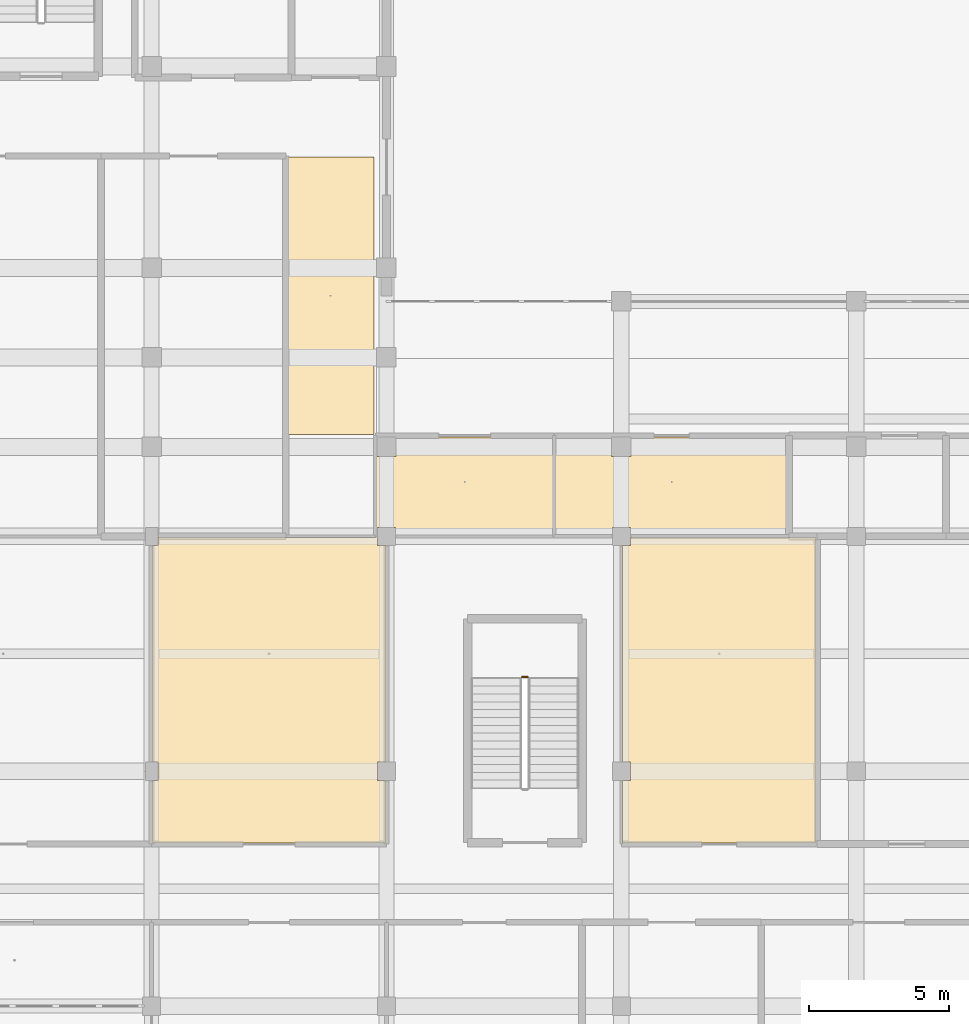
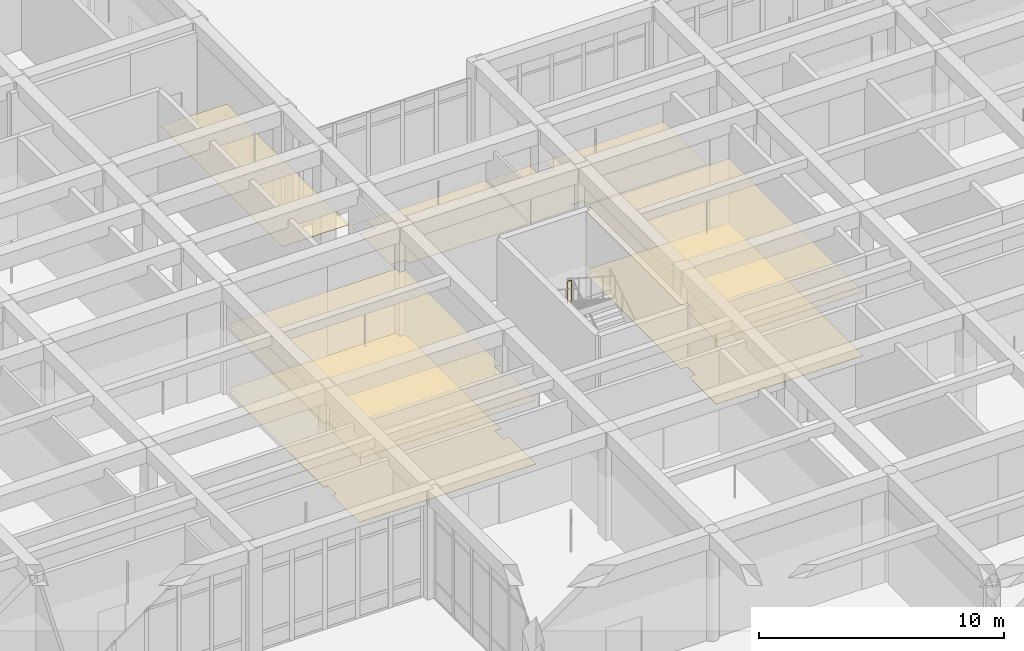
# One storey, part 156 of 167: 7 coverings, 1 railing.
"""IFC4 building model written with IfcOpenShell, lengths in metres."""

import ifcopenshell
import ifcopenshell.guid

model = None  # the IFC model being written
_history = None  # IfcOwnerHistory: only IFC2X3 demands one
_inside = {}  # id of a spatial element -> (the spatial element, [elements in it])
_under = {}  # id of a project, library or spatial element -> (it, [spatial elements below it])
_declared = {}  # id of a project -> (the project, [libraries it declares])
_typed = {}  # id of a type object -> (the type object, [elements of that type])
_made_of = {}  # id of a material, layer set ... -> (it, [elements and type objects made of it])


def new_model(schema):
    """Start an empty IFC model of exactly this schema.

    Asked for "IFC4X3", IfcOpenShell would pick the latest addendum, in which some entities
    have other attributes; the version numbers below select the first issue.
    IFC2X3 requires an IfcOwnerHistory on every rooted entity: one is made here for all.
    """
    global model, _history
    if schema == "IFC4X3":
        model = ifcopenshell.file(schema_version=(4, 3, 0, 0))
    else:
        model = ifcopenshell.file(schema=schema)
    _inside.clear()
    _under.clear()
    _declared.clear()
    _typed.clear()
    _made_of.clear()
    _history = None
    if model.schema == "IFC2X3":
        org = make("IfcOrganization", Name="unknown")
        user = make(
            "IfcPersonAndOrganization",
            ThePerson=make("IfcPerson", FamilyName="unknown"),
            TheOrganization=org,
        )
        app = make(
            "IfcApplication",
            ApplicationDeveloper=org,
            Version="unknown",
            ApplicationFullName="unknown",
            ApplicationIdentifier="unknown",
        )
        _history = make(
            "IfcOwnerHistory",
            OwningUser=user,
            OwningApplication=app,
            ChangeAction="ADDED",
            CreationDate=0,
        )
    return model


def make(cls, **values):
    """One entity of the class cls with the attributes given. An attribute that is None is left unset."""
    return model.create_entity(
        cls, **{name: value for name, value in values.items() if value is not None}
    )


def rooted(cls, **values):
    """An entity with a GlobalId (a new one), such as an element, a storey or a relation."""
    return make(cls, GlobalId=ifcopenshell.guid.new(), OwnerHistory=_history, **values)


def si_unit(unit_type, name, prefix=None):
    """IfcSIUnit, for example si_unit("LENGTHUNIT", "METRE", prefix="MILLI")."""
    return make("IfcSIUnit", UnitType=unit_type, Prefix=prefix, Name=name)


def assignment(units):
    """IfcUnitAssignment: the units of a project."""
    return None if units is None else make("IfcUnitAssignment", Units=units)


def point(xyz):
    """IfcCartesianPoint."""
    return None if xyz is None else make("IfcCartesianPoint", Coordinates=xyz)


def direction(xyz):
    """IfcDirection."""
    return None if xyz is None else make("IfcDirection", DirectionRatios=xyz)


def frame(location, z_axis=None, x_axis=None):
    """IfcAxis2Placement3D, a coordinate frame: its origin and axes. An axis left out is left unset."""
    return make(
        "IfcAxis2Placement3D",
        Location=point(location),
        Axis=direction(z_axis),
        RefDirection=direction(x_axis),
    )


def frame_2d(location, x_axis=None):
    """IfcAxis2Placement2D, a coordinate frame in the plane: its origin and x axis."""
    return make(
        "IfcAxis2Placement2D", Location=point(location), RefDirection=direction(x_axis)
    )


def origin():
    """The frame at (0, 0, 0) with its axes left unset."""
    return frame((0.0, 0.0, 0.0))


def origin_2d():
    """The frame at (0, 0) in the plane with its x axis left unset."""
    return frame_2d((0.0, 0.0))


def place(relative_to, where):
    """IfcLocalPlacement: puts the frame where relative to a parent placement (None: the world)."""
    return make(
        "IfcLocalPlacement", PlacementRelTo=relative_to, RelativePlacement=where
    )


def context(
    kind, dimensions, precision=None, world=None, true_north=None, identifier=None
):
    """IfcGeometricRepresentationContext, for example the 3D "Model" context."""
    return make(
        "IfcGeometricRepresentationContext",
        ContextIdentifier=identifier,
        ContextType=kind,
        CoordinateSpaceDimension=dimensions,
        Precision=precision,
        WorldCoordinateSystem=world,
        TrueNorth=true_north,
    )


def subcontext(parent, identifier, kind, view, scale=None):
    """IfcGeometricRepresentationSubContext, for example "Body" below "Model"."""
    return make(
        "IfcGeometricRepresentationSubContext",
        ContextIdentifier=identifier,
        ContextType=kind,
        ParentContext=parent,
        TargetScale=scale,
        TargetView=view,
    )


def project(units=None, contexts=None):
    """IfcProject with its units and contexts."""
    return rooted(
        "IfcProject",
        Name="project",
        RepresentationContexts=contexts,
        UnitsInContext=assignment(units),
    )


def spatial(cls, under=None, at=None, **own):
    """A site, building, storey or space (cls), placed at a placement, below another one or the project."""
    s = rooted(cls, ObjectPlacement=at, **own)
    if under is not None:
        _under.setdefault(under.id(), (under, []))[1].append(s)
    return s


def polyline(points):
    """IfcPolyline through the points."""
    return make("IfcPolyline", Points=[point(p) for p in points])


def profile(cls, at=None, kind="AREA", **sizes):
    """A parametric profile (cls). Its sizes go by their IFC names, for example OverallWidth=200.0."""
    return make(cls, ProfileType=kind, Position=at, **sizes)


def circle(**sizes):
    """IfcCircleProfileDef."""
    return profile("IfcCircleProfileDef", **sizes)


def outline(outer, holes=None, kind="AREA"):
    """IfcArbitraryClosedProfileDef: a profile drawn as a closed curve; with holes, ...WithVoids."""
    if holes is None:
        return make("IfcArbitraryClosedProfileDef", ProfileType=kind, OuterCurve=outer)
    return make(
        "IfcArbitraryProfileDefWithVoids",
        ProfileType=kind,
        OuterCurve=outer,
        InnerCurves=holes,
    )


def extrude(swept, where, along, depth):
    """IfcExtrudedAreaSolid: the profile swept, set in the frame where, extruded along a direction by depth."""
    return make(
        "IfcExtrudedAreaSolid",
        SweptArea=swept,
        Position=where,
        ExtrudedDirection=direction(along),
        Depth=depth,
    )


def shape(context_of_items, identifier, shape_type, items):
    """IfcShapeRepresentation: the items that make up one representation, for example the "Body"."""
    return make(
        "IfcShapeRepresentation",
        ContextOfItems=context_of_items,
        RepresentationIdentifier=identifier,
        RepresentationType=shape_type,
        Items=items,
    )


def material(Name=None, Category=None):
    """IfcMaterial."""
    return make("IfcMaterial", Name=Name, Category=Category)


def layer(
    of_material, thickness, ventilated=None, Name=None, Category=None, Priority=None
):
    """IfcMaterialLayer: one layer of a wall or slab, of a material (None: an air gap)."""
    return make(
        "IfcMaterialLayer",
        Material=of_material,
        LayerThickness=thickness,
        IsVentilated=ventilated,
        Name=Name,
        Category=Category,
        Priority=Priority,
    )


def layer_set(layers, Name=None):
    """IfcMaterialLayerSet."""
    return make("IfcMaterialLayerSet", MaterialLayers=layers, LayerSetName=Name)


def made_of(thing, what):
    """Note that an element or type object is made of a material, layer set ...; save() writes the relation."""
    if what is not None:
        _made_of.setdefault(what.id(), (what, []))[1].append(thing)
    return thing


def type_object(cls, material=None, **own):
    """A type object (cls), such as IfcWallType, which elements share."""
    return made_of(rooted(cls, **own), material)


def element(
    cls,
    number,
    at=None,
    inside=None,
    cuts=None,
    type_object=None,
    material=None,
    context=None,
    identifier="Body",
    shape_type=None,
    held_by="IfcProductDefinitionShape",
    body=None,
    shapes=None,
    **own,
):
    """One element of the class cls, such as IfcWall. Its Tag is "e" and its number.

    at: its placement. inside: the storey or other place that contains it. cuts: it is an
    opening in that element (IfcRelVoidsElement). A single representation is given by context,
    identifier, shape_type and body (its items); several are given by shapes. held_by: the class
    of the entity that holds the representations. save() writes the other relations.
    """
    e = rooted(cls, Tag="e%d" % number, ObjectPlacement=at, **own)
    if body is not None:
        shapes = [shape(context, identifier, shape_type, body)]
    if shapes is not None:
        e.Representation = make(held_by, Representations=shapes)
    if inside is not None:
        _inside.setdefault(inside.id(), (inside, []))[1].append(e)
    if cuts is not None:
        rooted(
            "IfcRelVoidsElement", RelatingBuildingElement=cuts, RelatedOpeningElement=e
        )
    if type_object is not None:
        _typed.setdefault(type_object.id(), (type_object, []))[1].append(e)
    return made_of(e, material)


def aggregate(whole, parts):
    """IfcRelAggregates: a whole, such as a stair, and the parts it consists of."""
    return rooted("IfcRelAggregates", RelatingObject=whole, RelatedObjects=parts)


def save(model, path):
    """Write the relations noted so far, then the file.

    IfcRelAggregates (storeys below a building ...), IfcRelContainedInSpatialStructure (elements
    in a storey), IfcRelDefinesByType, IfcRelAssociatesMaterial and IfcRelDeclares: one each for
    every whole, place, type object, material and project.
    """
    for whole, parts in _under.values():
        aggregate(whole, parts)
    for where, things in _inside.values():
        rooted(
            "IfcRelContainedInSpatialStructure",
            RelatedElements=things,
            RelatingStructure=where,
        )
    for kind, things in _typed.values():
        rooted("IfcRelDefinesByType", RelatedObjects=things, RelatingType=kind)
    for what, things in _made_of.values():
        rooted("IfcRelAssociatesMaterial", RelatedObjects=things, RelatingMaterial=what)
    for by, libraries in _declared.values():
        rooted("IfcRelDeclares", RelatingContext=by, RelatedDefinitions=libraries)
    model.write(path)


model = new_model("IFC4")

# Units and contexts
model_context = context("Model", 3, precision=1e-05, world=origin(), true_north=direction((0.0, 1.0)))
body_context = subcontext(model_context, "Body", "Model", "MODEL_VIEW")
ifc_project = project(units=[si_unit("LENGTHUNIT", "METRE"), si_unit("AREAUNIT", "SQUARE_METRE"), si_unit("VOLUMEUNIT", "CUBIC_METRE"), si_unit("PLANEANGLEUNIT", "RADIAN"), si_unit("MASSUNIT", "GRAM", prefix="KILO")], contexts=[model_context])

# Site, building, storey
site_placement = place(None, origin())
site = spatial("IfcSite", under=ifc_project, at=site_placement, CompositionType="ELEMENT")
building_placement = place(site_placement, origin())
building = spatial("IfcBuilding", under=site, at=building_placement, Name="Varncliffe General Hospital", CompositionType="ELEMENT")
storey_placement = place(building_placement, origin())
storey = spatial("IfcBuildingStorey", under=building, at=storey_placement, Name="L00", CompositionType="ELEMENT", Elevation=0.0)

# Coverings
ifc_material_1 = material(Name="Hygienic antimicrobial acoustic suspended ceiling tile", Category="gypsum")
ifc_layer_1 = layer(ifc_material_1, 0.02490234375)
ifc_layer_set_1 = layer_set([ifc_layer_1], Name="Hygienic antimicrobial acoustic suspended ceiling tile")
covering_type_1 = type_object("IfcCoveringType", Name="Antimicrobial Acoustic Suspended Ceiling CLG44", PredefinedType="CEILING", material=ifc_layer_set_1)
covering_1_placement = place(storey_placement, frame((0.0, 0.0, 3.175048828125)))
element("IfcCovering", 1, at=covering_1_placement, inside=storey, type_object=covering_type_1, Name="L00 North Link West Connector L00 Suspended Ceiling", PredefinedType="CEILING", context=body_context, shape_type="SweptSolid", body=[
    extrude(outline(polyline([(66.760009765625, 103.239990234375), (66.760009765625, 113.159912109375), (63.639892578125, 113.159912109375), (63.639892578125, 103.239990234375), (66.760009765625, 103.239990234375)])), origin(), (0.0, 0.0, 1.0), 0.02490234375),
])
covering_2_placement = place(storey_placement, frame((0.0, 0.0, 3.175048828125)))
element("IfcCovering", 2, at=covering_2_placement, inside=storey, type_object=covering_type_1, Name="L00 Diagnostic Fluoroscopy and X-Ray Suite 81 Suspended Ceiling", PredefinedType="CEILING", context=body_context, shape_type="SweptSolid", body=[
    extrude(outline(polyline([(66.875, 91.52490234375), (66.875, 90.875), (67.159912109375, 90.875), (67.159912109375, 88.639892578125), (58.840087890625, 88.639892578125), (58.840087890625, 90.875), (59.02490234375, 90.875), (59.02490234375, 91.52490234375), (58.840087890625, 91.52490234375), (58.840087890625, 99.27490234375), (59.02490234375, 99.27490234375), (59.02490234375, 99.56005859375), (66.875, 99.56005859375), (66.875, 99.27490234375), (67.159912109375, 99.27490234375), (67.159912109375, 91.52490234375), (66.875, 91.52490234375)])), origin(), (0.0, 0.0, 1.0), 0.02490234375),
])
covering_3_placement = place(storey_placement, frame((0.0, 0.0, 3.175048828125)))
element("IfcCovering", 3, at=covering_3_placement, inside=storey, type_object=covering_type_1, Name="L00 Sterile Dispatch and Surgical Prep Room 82 Suspended Ceiling", PredefinedType="CEILING", context=body_context, shape_type="SweptSolid", body=[
    extrude(outline(polyline([(82.56005859375, 99.56005859375), (82.56005859375, 88.639892578125), (75.639892578125, 88.639892578125), (75.639892578125, 90.875), (75.925048828125, 90.875), (75.925048828125, 91.52490234375), (75.639892578125, 91.52490234375), (75.639892578125, 99.27490234375), (75.925048828125, 99.27490234375), (75.925048828125, 99.56005859375), (82.56005859375, 99.56005859375)])), origin(), (0.0, 0.0, 1.0), 0.02490234375),
])
covering_4_placement = place(storey_placement, frame((0.0, 0.0, 3.175048828125)))
element("IfcCovering", 4, at=covering_4_placement, inside=storey, type_object=covering_type_1, Name="L00 Outpatient Phlebotomy and Pre-Admission Clinic 143 Suspended Ceiling", PredefinedType="CEILING", context=body_context, shape_type="SweptSolid", body=[
    extrude(outline(polyline([(66.840087890625, 99.639892578125), (66.840087890625, 103.159912109375), (73.159912109375, 103.159912109375), (73.159912109375, 99.639892578125), (67.52490234375, 99.639892578125), (67.52490234375, 99.925048828125), (66.875, 99.925048828125), (66.875, 99.639892578125), (66.840087890625, 99.639892578125)]), holes=[polyline([(67.550048828125, 102.449951171875), (67.550048828125, 103.14990234375), (66.85009765625, 103.14990234375), (66.85009765625, 102.449951171875), (67.550048828125, 102.449951171875)])]), origin(), (0.0, 0.0, 1.0), 0.02490234375),
])
covering_5_placement = place(storey_placement, frame((0.0, 0.0, 3.175048828125)))
element("IfcCovering", 5, at=covering_5_placement, inside=storey, type_object=covering_type_1, Name="L00 Rehabilitation Ambulation Training Room 144 Suspended Ceiling", PredefinedType="CEILING", context=body_context, shape_type="SweptSolid", body=[
    extrude(outline(polyline([(73.239990234375, 99.639892578125), (73.239990234375, 103.159912109375), (81.56005859375, 103.159912109375), (81.56005859375, 99.639892578125), (75.925048828125, 99.639892578125), (75.925048828125, 99.925048828125), (75.27490234375, 99.925048828125), (75.27490234375, 99.639892578125), (73.239990234375, 99.639892578125)]), holes=[polyline([(75.949951171875, 102.449951171875), (75.949951171875, 103.14990234375), (75.25, 103.14990234375), (75.25, 102.449951171875), (75.949951171875, 102.449951171875)])]), origin(), (0.0, 0.0, 1.0), 0.02490234375),
])
ifc_material_2 = material(Name="Seamless welded hospital sheet linoleum and terrazzo flooring", Category="linoleum")
ifc_layer_2 = layer(ifc_material_2, 0.011962890625)
ifc_layer_set_2 = layer_set([ifc_layer_2], Name="Seamless welded hospital sheet linoleum and terrazzo flooring")
covering_type_2 = type_object("IfcCoveringType", Name="Seamless Hospital Linoleum Flooring FLR19", PredefinedType="FLOORING", material=ifc_layer_set_2)
covering_6_placement = place(storey_placement, origin())
element("IfcCovering", 6, at=covering_6_placement, inside=storey, type_object=covering_type_2, Name="L00 Diagnostic Fluoroscopy and X-Ray Suite 81 Seamless Flooring", PredefinedType="FLOORING", context=body_context, shape_type="SweptSolid", body=[
    extrude(outline(polyline([(66.875, 91.52490234375), (66.875, 90.875), (67.159912109375, 90.875), (67.159912109375, 88.639892578125), (58.840087890625, 88.639892578125), (58.840087890625, 90.875), (59.02490234375, 90.875), (59.02490234375, 91.52490234375), (58.840087890625, 91.52490234375), (58.840087890625, 99.27490234375), (59.02490234375, 99.27490234375), (59.02490234375, 99.56005859375), (66.875, 99.56005859375), (66.875, 99.27490234375), (67.159912109375, 99.27490234375), (67.159912109375, 91.52490234375), (66.875, 91.52490234375)])), origin(), (0.0, 0.0, 1.0), 0.011962890625),
])
covering_7_placement = place(storey_placement, origin())
element("IfcCovering", 7, at=covering_7_placement, inside=storey, type_object=covering_type_2, Name="L00 Sterile Dispatch and Surgical Prep Room 82 Seamless Flooring", PredefinedType="FLOORING", context=body_context, shape_type="SweptSolid", body=[
    extrude(outline(polyline([(82.56005859375, 99.56005859375), (82.56005859375, 88.639892578125), (75.639892578125, 88.639892578125), (75.639892578125, 90.875), (75.925048828125, 90.875), (75.925048828125, 91.52490234375), (75.639892578125, 91.52490234375), (75.639892578125, 99.27490234375), (75.925048828125, 99.27490234375), (75.925048828125, 99.56005859375), (82.56005859375, 99.56005859375)])), origin(), (0.0, 0.0, 1.0), 0.011962890625),
])

# Railing
ifc_material_3 = material(Name="Powder-coated hospital steel guardrail and handrail", Category="steel")
railing_type = type_object("IfcRailingType", Name="Stairwell Guardrail SG49", PredefinedType="GUARDRAIL", material=ifc_material_3)
railing_placement = place(storey_placement, frame((72.25, 94.570068359375, 2.699951171875)))
element("IfcRailing", 8, at=railing_placement, inside=storey, type_object=railing_type, Name="L00 ST12 stair guard 2", PredefinedType="GUARDRAIL", context=body_context, shape_type="SweptSolid", body=[
    extrude(circle(Radius=0.02392578125, at=origin_2d()), frame((0.0, 0.0, 1.076171875), z_axis=(-1.0, 0.0, 0.0), x_axis=(0.0, -1.0, 0.0)), (0.0, 0.0, 1.0), 0.199951171875),
    extrude(circle(Radius=0.02099609375, at=origin_2d()), origin(), (0.0, 0.0, 1.0), 1.052001953125),
    extrude(circle(Radius=0.02099609375, at=origin_2d()), frame((-0.199951171875, 0.0, 0.0)), (0.0, 0.0, 1.0), 1.052001953125),
])

save(model, "model.ifc")
